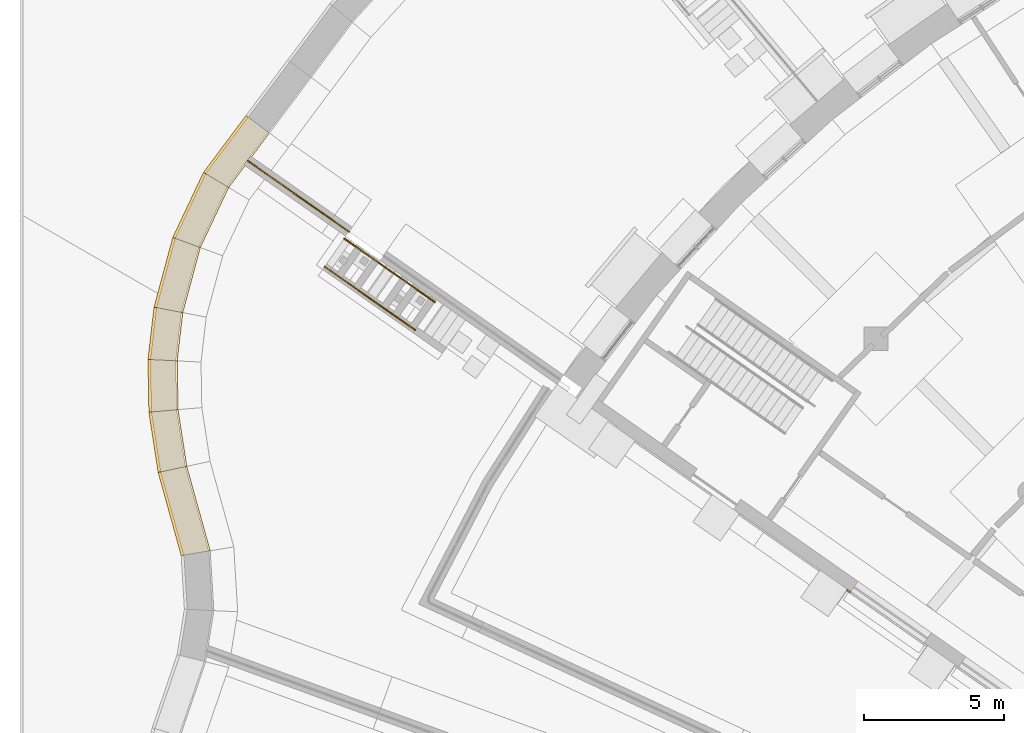
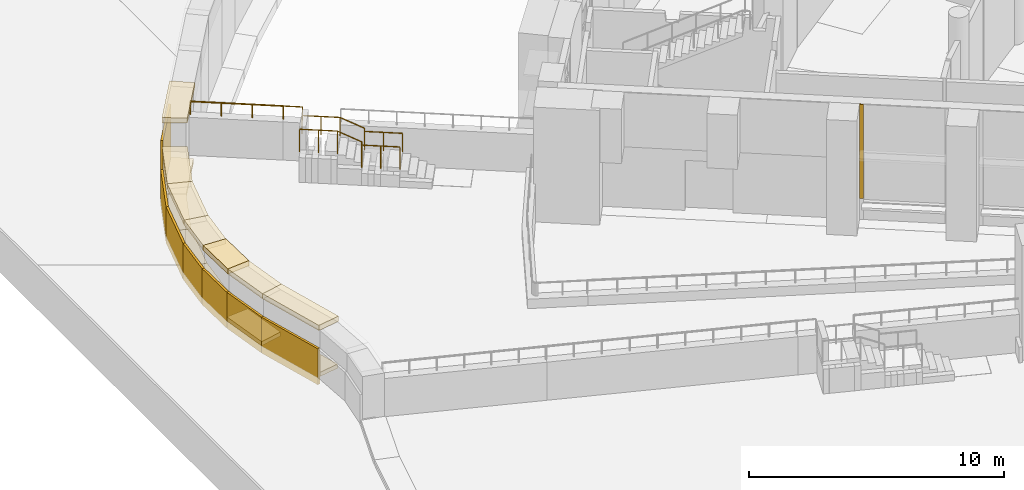
# One storey, part 59 of 65: 22 coverings, 4 railings.
"""IFC4 building model written with IfcOpenShell, lengths in metres."""

from ifc_helpers import new_model, si_unit, direction, frame, origin, origin_2d, place, context, subcontext, project, spatial, polyline, circle, outline, extrude, material, layer, layer_set, type_object, element, save


model = new_model("IFC4")

# Units and contexts
model_context = context("Model", 3, precision=1e-05, world=origin(), true_north=direction((0.0, 1.0)))
body_context = subcontext(model_context, "Body", "Model", "MODEL_VIEW")
ifc_project = project(units=[si_unit("LENGTHUNIT", "METRE"), si_unit("AREAUNIT", "SQUARE_METRE"), si_unit("VOLUMEUNIT", "CUBIC_METRE"), si_unit("PLANEANGLEUNIT", "RADIAN"), si_unit("MASSUNIT", "GRAM", prefix="KILO")], contexts=[model_context])

# Site, building, storey
site_placement = place(None, origin())
site = spatial("IfcSite", under=ifc_project, at=site_placement, CompositionType="ELEMENT")
building_placement = place(site_placement, origin())
building = spatial("IfcBuilding", under=site, at=building_placement, Name="Volute Hill Aquarium", CompositionType="ELEMENT")
storey_placement = place(building_placement, frame((0.0, 0.0, -5.5)))
storey = spatial("IfcBuildingStorey", under=building, at=storey_placement, Name="L00", CompositionType="ELEMENT", Elevation=-5.5)

# Coverings
ifc_material_1 = material(Name="Precast concrete C40/50", Category="concrete")
ifc_layer_1 = layer(ifc_material_1, 0.050048828125)
ifc_layer_set_1 = layer_set([ifc_layer_1], Name="End wall precast infill panel C40/50 50")
covering_type_1 = type_object("IfcCoveringType", Name="End wall precast infill panel C40/50 50", PredefinedType="CLADDING", material=ifc_layer_set_1)
covering_1_placement = place(storey_placement, frame((-32.191162109375, 22.2353515625, 1.0), z_axis=(0.57368046593, 0.819079192149, 0.0), x_axis=(-0.819079192149, 0.57368046593, 0.0)))
element("IfcCovering", 1, at=covering_1_placement, inside=storey, type_object=covering_type_1, Name="End wall panel EWP S6B L00 4", PredefinedType="CLADDING", context=body_context, shape_type="SweptSolid", body=[
    extrude(outline(polyline([(0.0, 0.0), (0.15022585871973665, 0.0), (0.15022585871973665, 4.5), (0.0, 4.5), (0.0, 0.0)])), origin(), (0.0, 0.0, -1.0), 0.050048828125),
])
ifc_material_2 = material(Name="Precast concrete C40/50", Category="concrete")
ifc_layer_2 = layer(ifc_material_2, 0.25)
ifc_layer_set_2 = layer_set([ifc_layer_2], Name="Plinth coping precast concrete C40/50 1000")
covering_type_2 = type_object("IfcCoveringType", Name="Plinth coping precast concrete C40/50 1000", PredefinedType="CLADDING", material=ifc_layer_set_2)
covering_2_placement = place(storey_placement, frame((0.0, 0.0, 3.60009765625)))
element("IfcCovering", 2, at=covering_2_placement, inside=storey, type_object=covering_type_2, Name="cp/E84FA2/L00/2", PredefinedType="CLADDING", context=body_context, shape_type="SweptSolid", body=[
    extrude(outline(polyline([(-53.8125, 39.26123046875), (-55.3349609375, 37.228759765625), (-54.473876953125, 36.710205078125), (-53.011962890625, 38.661865234375), (-53.8125, 39.26123046875)])), origin(), (0.0, 0.0, 1.0), 0.25),
])
covering_3_placement = place(storey_placement, frame((0.0, 0.0, 2.22509765625)))
element("IfcCovering", 3, at=covering_3_placement, inside=storey, type_object=covering_type_2, Name="cp/E85FA1/L00/0", PredefinedType="CLADDING", context=body_context, shape_type="SweptSolid", body=[
    extrude(outline(polyline([(-56.43212890625, 34.90478515625), (-56.43212890625, 34.90478515625), (-55.489501953125, 34.558837890625), (-55.489501953125, 34.558837890625), (-54.473876953125, 36.710205078125), (-54.473876953125, 36.710205078125), (-55.3349609375, 37.228759765625), (-55.3349609375, 37.228759765625), (-56.43212890625, 34.90478515625)])), origin(), (0.0, 0.0, 1.0), 0.25),
])
covering_4_placement = place(storey_placement, frame((0.0, 0.0, 2.22509765625)))
element("IfcCovering", 4, at=covering_4_placement, inside=storey, type_object=covering_type_2, Name="cp/E86FA1/L00/0", PredefinedType="CLADDING", context=body_context, shape_type="SweptSolid", body=[
    extrude(outline(polyline([(-56.43212890625, 34.90478515625), (-57.100830078125, 32.416259765625), (-56.115966796875, 32.227783203125), (-55.489501953125, 34.558837890625), (-56.43212890625, 34.90478515625)])), origin(), (0.0, 0.0, 1.0), 0.25),
])
covering_5_placement = place(storey_placement, frame((0.0, 0.0, 2.22509765625)))
element("IfcCovering", 5, at=covering_5_placement, inside=storey, type_object=covering_type_2, Name="cp/E87FA1/L00/0", PredefinedType="CLADDING", context=body_context, shape_type="SweptSolid", body=[
    extrude(outline(polyline([(-57.100830078125, 32.416259765625), (-57.3173828125, 30.54931640625), (-56.31640625, 30.5), (-56.115966796875, 32.227783203125), (-56.115966796875, 32.227783203125), (-57.100830078125, 32.416259765625), (-57.100830078125, 32.416259765625)])), origin(), (0.0, 0.0, 1.0), 0.25),
])
covering_6_placement = place(storey_placement, frame((0.0, 0.0, 2.22509765625)))
element("IfcCovering", 6, at=covering_6_placement, inside=storey, type_object=covering_type_2, Name="cp/E88FA1/L00/0", PredefinedType="CLADDING", context=body_context, shape_type="SweptSolid", body=[
    extrude(outline(polyline([(-57.284912109375, 28.66845703125), (-57.284912109375, 28.66845703125), (-56.2861328125, 28.753662109375), (-56.2861328125, 28.753662109375), (-56.31640625, 30.5), (-57.3173828125, 30.54931640625), (-57.284912109375, 28.66845703125)])), origin(), (0.0, 0.0, 1.0), 0.25),
])
covering_7_placement = place(storey_placement, frame((0.0, 0.0, 2.22509765625)))
element("IfcCovering", 7, at=covering_7_placement, inside=storey, type_object=covering_type_2, Name="cp/E89FA1/L00/0", PredefinedType="CLADDING", context=body_context, shape_type="SweptSolid", body=[
    extrude(outline(polyline([(-57.284912109375, 28.66845703125), (-56.953369140625, 26.513671875), (-55.973876953125, 26.723876953125), (-56.2861328125, 28.753662109375), (-57.284912109375, 28.66845703125)])), origin(), (0.0, 0.0, 1.0), 0.25),
])
covering_8_placement = place(storey_placement, frame((0.0, 0.0, 2.22509765625)))
element("IfcCovering", 8, at=covering_8_placement, inside=storey, type_object=covering_type_2, Name="cp/E90FA1/L00/0", PredefinedType="CLADDING", context=body_context, shape_type="SweptSolid", body=[
    extrude(outline(polyline([(-56.953369140625, 26.513671875), (-56.12744140625, 23.532958984375), (-55.1357421875, 23.698486328125), (-55.973876953125, 26.723876953125), (-55.973876953125, 26.723876953125), (-56.953369140625, 26.513671875), (-56.953369140625, 26.513671875)])), origin(), (0.0, 0.0, 1.0), 0.25),
])
ifc_material_3 = material(Name="Precast concrete C40/50", Category="concrete")
ifc_layer_3 = layer(ifc_material_3, 0.199951171875)
ifc_layer_set_3 = layer_set([ifc_layer_3], Name="Plinth grade course precast concrete C40/50 1100")
covering_type_3 = type_object("IfcCoveringType", Name="Plinth grade course precast concrete C40/50 1100", PredefinedType="CLADDING", material=ifc_layer_set_3)
covering_9_placement = place(storey_placement, origin())
element("IfcCovering", 9, at=covering_9_placement, inside=storey, type_object=covering_type_3, Name="gc/E84FA2/L00/2", PredefinedType="CLADDING", context=body_context, shape_type="SweptSolid", body=[
    extrude(outline(polyline([(-53.852294921875, 39.291259765625), (-55.378173828125, 37.254638671875), (-54.51708984375, 36.736083984375), (-54.51708984375, 36.736083984375), (-53.052001953125, 38.69189453125), (-53.852294921875, 39.291259765625)])), origin(), (0.0, 0.0, 1.0), 0.199951171875),
])
covering_10_placement = place(storey_placement, origin())
element("IfcCovering", 10, at=covering_10_placement, inside=storey, type_object=covering_type_3, Name="gc/E85FA1/L00/0", PredefinedType="CLADDING", context=body_context, shape_type="SweptSolid", body=[
    extrude(outline(polyline([(-56.479248046875, 34.922119140625), (-56.479248046875, 34.922119140625), (-55.53662109375, 34.575927734375), (-55.53662109375, 34.575927734375), (-54.51708984375, 36.736083984375), (-55.378173828125, 37.254638671875), (-56.479248046875, 34.922119140625)])), origin(), (0.0, 0.0, 1.0), 0.199951171875),
])
covering_11_placement = place(storey_placement, origin())
element("IfcCovering", 11, at=covering_11_placement, inside=storey, type_object=covering_type_3, Name="gc/E86FA1/L00/0", PredefinedType="CLADDING", context=body_context, shape_type="SweptSolid", body=[
    extrude(outline(polyline([(-57.150146484375, 32.425537109375), (-57.150146484375, 32.425537109375), (-56.165283203125, 32.2373046875), (-56.165283203125, 32.2373046875), (-55.53662109375, 34.575927734375), (-56.479248046875, 34.922119140625), (-57.150146484375, 32.425537109375)])), origin(), (0.0, 0.0, 1.0), 0.199951171875),
])
covering_12_placement = place(storey_placement, origin())
element("IfcCovering", 12, at=covering_12_placement, inside=storey, type_object=covering_type_3, Name="gc/E87FA1/L00/0", PredefinedType="CLADDING", context=body_context, shape_type="SweptSolid", body=[
    extrude(outline(polyline([(-57.150146484375, 32.425537109375), (-57.367431640625, 30.5517578125), (-56.366455078125, 30.50244140625), (-56.165283203125, 32.2373046875), (-57.150146484375, 32.425537109375)])), origin(), (0.0, 0.0, 1.0), 0.199951171875),
])
covering_13_placement = place(storey_placement, origin())
element("IfcCovering", 13, at=covering_13_placement, inside=storey, type_object=covering_type_3, Name="gc/E88FA1/L00/0", PredefinedType="CLADDING", context=body_context, shape_type="SweptSolid", body=[
    extrude(outline(polyline([(-57.334716796875, 28.664306640625), (-57.334716796875, 28.664306640625), (-56.336181640625, 28.749267578125), (-56.336181640625, 28.749267578125), (-56.366455078125, 30.50244140625), (-57.367431640625, 30.5517578125), (-57.334716796875, 28.664306640625)])), origin(), (0.0, 0.0, 1.0), 0.199951171875),
])
covering_14_placement = place(storey_placement, origin())
element("IfcCovering", 14, at=covering_14_placement, inside=storey, type_object=covering_type_3, Name="gc/E89FA1/L00/0", PredefinedType="CLADDING", context=body_context, shape_type="SweptSolid", body=[
    extrude(outline(polyline([(-57.334716796875, 28.664306640625), (-57.002197265625, 26.5029296875), (-56.02294921875, 26.71337890625), (-56.336181640625, 28.749267578125), (-57.334716796875, 28.664306640625)])), origin(), (0.0, 0.0, 1.0), 0.199951171875),
])
covering_15_placement = place(storey_placement, origin())
element("IfcCovering", 15, at=covering_15_placement, inside=storey, type_object=covering_type_3, Name="gc/E90FA1/L00/0", PredefinedType="CLADDING", context=body_context, shape_type="SweptSolid", body=[
    extrude(outline(polyline([(-56.177001953125, 23.524658203125), (-56.177001953125, 23.524658203125), (-55.185302734375, 23.690185546875), (-56.02294921875, 26.71337890625), (-56.02294921875, 26.71337890625), (-57.002197265625, 26.5029296875), (-57.002197265625, 26.5029296875), (-56.177001953125, 23.524658203125)])), origin(), (0.0, 0.0, 1.0), 0.199951171875),
])
ifc_material_4 = material(Name="Precast concrete C40/50", Category="concrete")
ifc_layer_4 = layer(ifc_material_4, 0.10009765625)
ifc_layer_set_4 = layer_set([ifc_layer_4], Name="Retained ground face precast concrete C40/50 100")
covering_type_4 = type_object("IfcCoveringType", Name="Retained ground face precast concrete C40/50 100", PredefinedType="CLADDING", material=ifc_layer_set_4)
covering_16_placement = place(storey_placement, frame((0.0, 0.0, -0.35009765625)))
element("IfcCovering", 16, at=covering_16_placement, inside=storey, type_object=covering_type_4, Name="tg/E84FA2/L00/2", PredefinedType="CLADDING", context=body_context, shape_type="SweptSolid", body=[
    extrude(outline(polyline([(-53.852294921875, 39.291259765625), (-55.378173828125, 37.254638671875), (-55.2919921875, 37.202880859375), (-53.7724609375, 39.2314453125), (-53.852294921875, 39.291259765625)])), origin(), (0.0, 0.0, 1.0), 3.10009765625),
])
covering_17_placement = place(storey_placement, frame((0.0, 0.0, -0.35009765625)))
element("IfcCovering", 17, at=covering_17_placement, inside=storey, type_object=covering_type_4, Name="tg/E85FA1/L00/0", PredefinedType="CLADDING", context=body_context, shape_type="SweptSolid", body=[
    extrude(outline(polyline([(-56.479248046875, 34.922119140625), (-56.479248046875, 34.922119140625), (-56.385009765625, 34.887451171875), (-56.385009765625, 34.887451171875), (-55.2919921875, 37.202880859375), (-55.2919921875, 37.202880859375), (-55.378173828125, 37.254638671875), (-56.479248046875, 34.922119140625)])), origin(), (0.0, 0.0, 1.0), 1.72509765625),
])
covering_18_placement = place(storey_placement, frame((0.0, 0.0, -0.35009765625)))
element("IfcCovering", 18, at=covering_18_placement, inside=storey, type_object=covering_type_4, Name="tg/E86FA1/L00/0", PredefinedType="CLADDING", context=body_context, shape_type="SweptSolid", body=[
    extrude(outline(polyline([(-57.150146484375, 32.425537109375), (-57.150146484375, 32.425537109375), (-57.051513671875, 32.40673828125), (-56.385009765625, 34.887451171875), (-56.479248046875, 34.922119140625), (-57.150146484375, 32.425537109375)])), origin(), (0.0, 0.0, 1.0), 1.72509765625),
])
covering_19_placement = place(storey_placement, frame((0.0, 0.0, -0.35009765625)))
element("IfcCovering", 19, at=covering_19_placement, inside=storey, type_object=covering_type_4, Name="tg/E87FA1/L00/0", PredefinedType="CLADDING", context=body_context, shape_type="SweptSolid", body=[
    extrude(outline(polyline([(-57.150146484375, 32.425537109375), (-57.367431640625, 30.5517578125), (-57.267333984375, 30.546630859375), (-57.267333984375, 30.546630859375), (-57.051513671875, 32.40673828125), (-57.051513671875, 32.40673828125), (-57.150146484375, 32.425537109375)])), origin(), (0.0, 0.0, 1.0), 1.72509765625),
])
covering_20_placement = place(storey_placement, frame((0.0, 0.0, -0.35009765625)))
element("IfcCovering", 20, at=covering_20_placement, inside=storey, type_object=covering_type_4, Name="tg/E88FA1/L00/0", PredefinedType="CLADDING", context=body_context, shape_type="SweptSolid", body=[
    extrude(outline(polyline([(-57.334716796875, 28.664306640625), (-57.334716796875, 28.664306640625), (-57.23486328125, 28.6728515625), (-57.23486328125, 28.6728515625), (-57.267333984375, 30.546630859375), (-57.367431640625, 30.5517578125), (-57.334716796875, 28.664306640625)])), origin(), (0.0, 0.0, 1.0), 1.72509765625),
])
covering_21_placement = place(storey_placement, frame((0.0, 0.0, -0.35009765625)))
element("IfcCovering", 21, at=covering_21_placement, inside=storey, type_object=covering_type_4, Name="tg/E89FA1/L00/0", PredefinedType="CLADDING", context=body_context, shape_type="SweptSolid", body=[
    extrude(outline(polyline([(-57.334716796875, 28.664306640625), (-57.002197265625, 26.5029296875), (-56.904296875, 26.524169921875), (-57.23486328125, 28.6728515625), (-57.334716796875, 28.664306640625)])), origin(), (0.0, 0.0, 1.0), 1.72509765625),
])
covering_22_placement = place(storey_placement, frame((0.0, 0.0, -0.35009765625)))
element("IfcCovering", 22, at=covering_22_placement, inside=storey, type_object=covering_type_4, Name="tg/E90FA1/L00/0", PredefinedType="CLADDING", context=body_context, shape_type="SweptSolid", body=[
    extrude(outline(polyline([(-56.177001953125, 23.524658203125), (-56.177001953125, 23.524658203125), (-56.077880859375, 23.541259765625), (-56.077880859375, 23.541259765625), (-56.904296875, 26.524169921875), (-56.904296875, 26.524169921875), (-57.002197265625, 26.5029296875), (-57.002197265625, 26.5029296875), (-56.177001953125, 23.524658203125)])), origin(), (0.0, 0.0, 1.0), 1.72509765625),
])

# Railings
ifc_material_5 = material(Name="Steel S355", Category="steel")
railing_type_1 = type_object("IfcRailingType", Name="Site guard 1100", PredefinedType="GUARDRAIL", material=ifc_material_5)
railing_1_placement = place(storey_placement, frame((-47.795654296875, 31.605224609375, 2.138916015625)))
element("IfcRailing", 23, at=railing_1_placement, inside=storey, type_object=railing_type_1, Name="gd/ST145/L00/1", PredefinedType="GUARDRAIL", context=body_context, shape_type="SweptSolid", body=[
    extrude(circle(Radius=0.02392578125, at=origin_2d()), frame((0.0, 0.0, 1.076171875), z_axis=(-0.819163097304, 0.573560650686, 0.0), x_axis=(-0.573560650686, -0.819163097304, 0.0)), (0.0, 0.0, 1.0), 1.5),
    extrude(circle(Radius=0.02392578125, at=origin_2d()), frame((-1.228759765625, 0.8603515625, 1.076171875), z_axis=(0.0, 0.0, 1.0), x_axis=(1.0, 0.0, 0.0)), (0.0, 0.0, 1.0), 0.15283203125),
    extrude(circle(Radius=0.02392578125, at=origin_2d()), frame((-1.228759765625, 0.8603515625, 1.22900390625), z_axis=(-0.739278980196, 0.517564141677, 0.430806161387), x_axis=(-0.573513550572, -0.819196073788, 0.0)), (0.0, 0.0, 1.0), 1.063720703125),
    extrude(circle(Radius=0.02392578125, at=origin_2d()), frame((-2.01513671875, 1.410888671875, 1.68701171875), z_axis=(-0.819086626796, 0.573669850876, 0.0), x_axis=(-0.573669850876, -0.819086626796, 0.0)), (0.0, 0.0, 1.0), 1.500244140625),
    extrude(circle(Radius=0.02099609375, at=origin_2d()), origin(), (0.0, 0.0, 1.0), 1.052001953125),
    extrude(circle(Radius=0.02099609375, at=origin_2d()), frame((-0.6142578125, 0.43017578125, 0.0)), (0.0, 0.0, 1.0), 1.052001953125),
    extrude(circle(Radius=0.02099609375, at=origin_2d()), frame((-1.228759765625, 0.8603515625, 0.0)), (0.0, 0.0, 1.0), 1.052001953125),
    extrude(circle(Radius=0.02099609375, at=origin_2d()), frame((-1.228759765625, 0.8603515625, 0.15283203125)), (0.0, 0.0, 1.0), 1.052001953125),
    extrude(circle(Radius=0.02099609375, at=origin_2d()), frame((-2.01513671875, 1.410888671875, 0.611083984375)), (0.0, 0.0, 1.0), 1.052001953125),
    extrude(circle(Radius=0.02099609375, at=origin_2d()), frame((-2.62939453125, 1.84130859375, 0.611083984375)), (0.0, 0.0, 1.0), 1.052001953125),
    extrude(circle(Radius=0.02099609375, at=origin_2d()), frame((-3.243896484375, 2.271484375, 0.611083984375)), (0.0, 0.0, 1.0), 1.052001953125),
])
railing_2_placement = place(storey_placement, frame((-50.164794921875, 35.125732421875, 3.199951171875)))
element("IfcRailing", 24, at=railing_2_placement, inside=storey, type_object=railing_type_1, Name="gd/RW145/L00/1", PredefinedType="GUARDRAIL", context=body_context, shape_type="SweptSolid", body=[
    extrude(circle(Radius=0.02392578125, at=origin_2d()), frame((0.0, 0.0, 0.6259765625), z_axis=(-0.81908098896, 0.573677900503, 0.0), x_axis=(-0.573677900503, -0.81908098896, 0.0)), (0.0, 0.0, 1.0), 0.760009765625),
    extrude(circle(Radius=0.02099609375, at=origin_2d()), origin(), (0.0, 0.0, 1.0), 0.601806640625),
    extrude(circle(Radius=0.02099609375, at=origin_2d()), frame((-0.62255859375, 0.43603515625, 0.0)), (0.0, 0.0, 1.0), 0.601806640625),
])
railing_3_placement = place(storey_placement, frame((-50.787353515625, 35.561767578125, 3.199951171875)))
element("IfcRailing", 25, at=railing_3_placement, inside=storey, type_object=railing_type_1, Name="gd/RW145/L00/2", PredefinedType="GUARDRAIL", context=body_context, shape_type="SweptSolid", body=[
    extrude(circle(Radius=0.02392578125, at=origin_2d()), frame((0.0, 0.0, 0.6259765625), z_axis=(-0.819166300901, 0.57355607526, 0.0), x_axis=(-0.57355607526, -0.819166300901, 0.0)), (0.0, 0.0, 1.0), 3.6708984375),
    extrude(circle(Radius=0.02099609375, at=origin_2d()), origin(), (0.0, 0.0, 1.0), 0.601806640625),
    extrude(circle(Radius=0.02099609375, at=origin_2d()), frame((-1.00244140625, 0.701904296875, 0.0)), (0.0, 0.0, 1.0), 0.601806640625),
    extrude(circle(Radius=0.02099609375, at=origin_2d()), frame((-2.004638671875, 1.403564453125, 0.0)), (0.0, 0.0, 1.0), 0.601806640625),
    extrude(circle(Radius=0.02099609375, at=origin_2d()), frame((-3.007080078125, 2.10546875, 0.0)), (0.0, 0.0, 1.0), 0.601806640625),
])
ifc_material_6 = material(Name="Steel S355", Category="steel")
railing_type_2 = type_object("IfcRailingType", Name="Site handrail 900", PredefinedType="HANDRAIL", material=ifc_material_6)
railing_4_placement = place(storey_placement, frame((-47.093017578125, 32.608642578125, 2.138916015625)))
element("IfcRailing", 26, at=railing_4_placement, inside=storey, type_object=railing_type_2, Name="hr/ST145/L00/1", PredefinedType="HANDRAIL", context=body_context, shape_type="SweptSolid", body=[
    extrude(circle(Radius=0.02392578125, at=origin_2d()), frame((0.0, 0.0, 0.8759765625), z_axis=(-0.819163097304, 0.573560650686, 0.0), x_axis=(-0.573560650686, -0.819163097304, 0.0)), (0.0, 0.0, 1.0), 1.5),
    extrude(circle(Radius=0.02392578125, at=origin_2d()), frame((-1.228759765625, 0.8603515625, 0.8759765625), z_axis=(0.0, 0.0, 1.0), x_axis=(1.0, 0.0, 0.0)), (0.0, 0.0, 1.0), 0.15283203125),
    extrude(circle(Radius=0.02392578125, at=origin_2d()), frame((-1.228759765625, 0.8603515625, 1.02880859375), z_axis=(-0.739191157036, 0.517732148486, 0.43075498347), x_axis=(-0.573684189392, -0.819076584234, 0.0)), (0.0, 0.0, 1.0), 1.063720703125),
    extrude(circle(Radius=0.02392578125, at=origin_2d()), frame((-2.01513671875, 1.4111328125, 1.48681640625), z_axis=(-0.819163097304, 0.573560650686, 0.0), x_axis=(-0.573560650686, -0.819163097304, 0.0)), (0.0, 0.0, 1.0), 1.5),
    extrude(circle(Radius=0.02099609375, at=origin_2d()), origin(), (0.0, 0.0, 1.0), 0.851806640625),
    extrude(circle(Radius=0.02099609375, at=origin_2d()), frame((-0.6142578125, 0.43017578125, 0.0)), (0.0, 0.0, 1.0), 0.851806640625),
    extrude(circle(Radius=0.02099609375, at=origin_2d()), frame((-1.228759765625, 0.8603515625, 0.0)), (0.0, 0.0, 1.0), 0.851806640625),
    extrude(circle(Radius=0.02099609375, at=origin_2d()), frame((-1.228759765625, 0.8603515625, 0.15283203125)), (0.0, 0.0, 1.0), 0.851806640625),
    extrude(circle(Radius=0.02099609375, at=origin_2d()), frame((-2.01513671875, 1.4111328125, 0.611083984375)), (0.0, 0.0, 1.0), 0.851806640625),
    extrude(circle(Radius=0.02099609375, at=origin_2d()), frame((-2.62939453125, 1.84130859375, 0.611083984375)), (0.0, 0.0, 1.0), 0.851806640625),
    extrude(circle(Radius=0.02099609375, at=origin_2d()), frame((-3.243896484375, 2.271484375, 0.611083984375)), (0.0, 0.0, 1.0), 0.851806640625),
])

save(model, "model.ifc")
